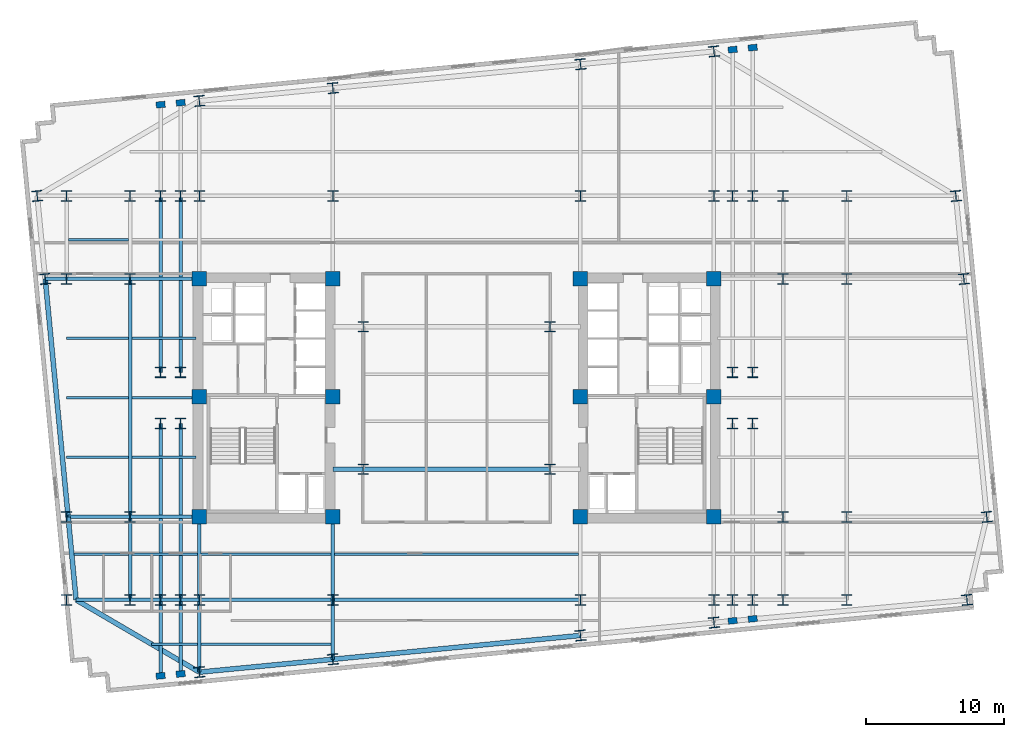
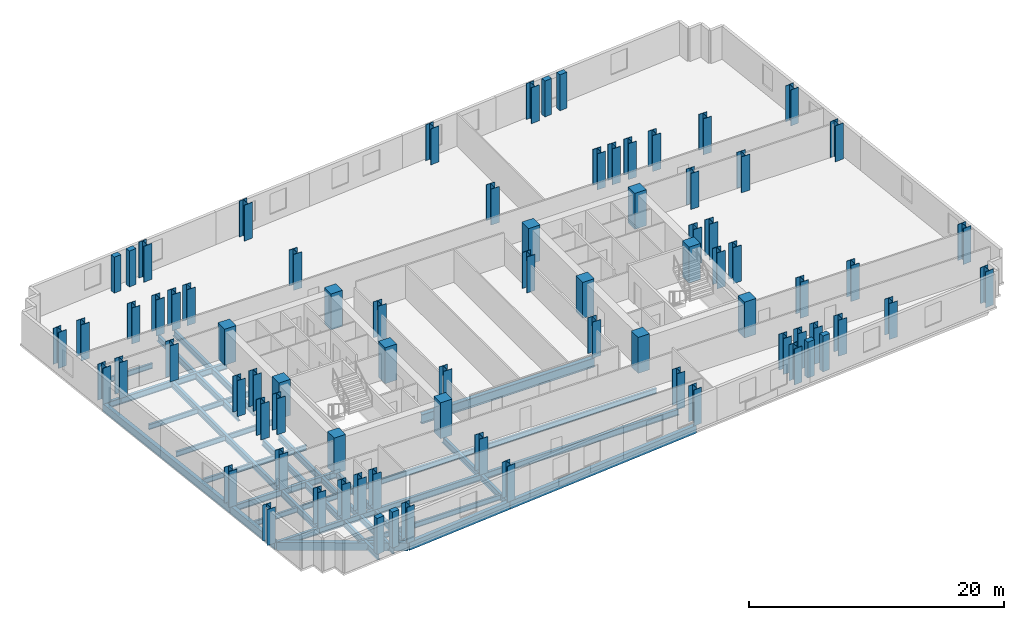
# One storey, part 1 of 10: 78 columns, 41 beams.
"""IFC4 building model written with IfcOpenShell, lengths in metres."""

from ifc_helpers import new_model, si_unit, direction, frame, origin, origin_2d, place, context, subcontext, project, spatial, rectangle, i_section, extrude, material, material_profile, profile_set, type_object, element, save


model = new_model("IFC4")

# Units and contexts
model_context = context("Model", 3, precision=1e-05, world=origin(), true_north=direction((0.0, 1.0)))
body_context = subcontext(model_context, "Body", "Model", "MODEL_VIEW")
ifc_project = project(units=[si_unit("LENGTHUNIT", "METRE"), si_unit("AREAUNIT", "SQUARE_METRE"), si_unit("VOLUMEUNIT", "CUBIC_METRE"), si_unit("PLANEANGLEUNIT", "RADIAN"), si_unit("MASSUNIT", "GRAM", prefix="KILO")], contexts=[model_context])

# Site, building, storey
site_placement = place(None, origin())
site = spatial("IfcSite", under=ifc_project, at=site_placement, CompositionType="ELEMENT")
building_placement = place(site_placement, origin())
building = spatial("IfcBuilding", under=site, at=building_placement, Name="Velakula Bourse", CompositionType="ELEMENT")
storey_placement = place(building_placement, frame((0.0, 0.0, 108.699951171875)))
storey = spatial("IfcBuildingStorey", under=building, at=storey_placement, Name="L29", CompositionType="ELEMENT", Elevation=108.699951171875)

# Columns
ifc_material_1 = material(Name="Concrete M70 (fck 70 MPa)", Category="concrete")
ifc_material_profile_1 = material_profile(ifc_material_1, rectangle(XDim=1.050048828125, YDim=1.050048828125, at=origin_2d()), Name="Concrete M70 (fck 70 MPa)")
ifc_profile_set_1 = profile_set([ifc_material_profile_1], Name="Concrete M70 (fck 70 MPa)")
column_type_1 = type_object("IfcColumnType", Name="COL-RC-1050", PredefinedType="COLUMN", material=ifc_profile_set_1)
for number, where, z_axis, x_axis, name in (
    (1, (-8.949951171875, -8.60009765625, 0.0), (0.0, 0.0, 1.0), (1.0, 0.0, 0.0), "L29 Core Boundary Column 01"),
    (2, (-8.949951171875, 0.10009765625, 0.0), (0.0, 0.0, 1.0), (1.0, 0.0, 0.0), "L29 Core Boundary Column 02"),
    (3, (-8.949951171875, 8.60009765625, 0.0), (0.0, 0.0, 1.0), (1.0, 0.0, 0.0), "L29 Core Boundary Column 03"),
    (4, (-18.60009765625, -8.60009765625, 0.0), (0.0, 0.0, 1.0), (1.0, 0.0, 0.0), "L29 Core Boundary Column 04"),
    (5, (-18.60009765625, 0.10009765625, 0.0), (0.0, 0.0, 1.0), (1.0, 0.0, 0.0), "L29 Core Boundary Column 05"),
    (6, (-18.60009765625, 8.60009765625, 0.0), (0.0, 0.0, 1.0), (1.0, 0.0, 0.0), "L29 Core Boundary Column 06"),
    (7, (8.949951171875, -8.60009765625, 0.0), (0.0, 0.0, 1.0), (1.0, 0.0, 0.0), "L29 Core Boundary Column 07"),
    (8, (8.949951171875, 0.10009765625, 0.0), (0.0, 0.0, 1.0), (1.0, 0.0, 0.0), "L29 Core Boundary Column 08"),
    (9, (8.949951171875, 8.60009765625, 0.0), (0.0, 0.0, 1.0), (1.0, 0.0, 0.0), "L29 Core Boundary Column 09"),
    (10, (18.60009765625, -8.60009765625, 0.0), (0.0, 0.0, 1.0), (1.0, 0.0, 0.0), "L29 Core Boundary Column 10"),
    (11, (18.60009765625, 0.10009765625, 0.0), (0.0, 0.0, 1.0), (1.0, 0.0, 0.0), "L29 Core Boundary Column 11"),
    (12, (18.60009765625, 8.60009765625, 0.0), (0.0, 0.0, 1.0), (1.0, 0.0, 0.0), "L29 Core Boundary Column 12"),
):
    element("IfcColumn", number, at=place(storey_placement, frame(where, z_axis=z_axis, x_axis=x_axis)), inside=storey, type_object=column_type_1, Name=name, PredefinedType="COLUMN", context=body_context, shape_type="SweptSolid", body=[
        extrude(rectangle(XDim=1.050048828125, YDim=1.050048828125, at=origin_2d()), origin(), (0.0, 0.0, 1.0), 3.449951171875),
    ])
ifc_material_2 = material(Name="Steel IS 2062 Grade 450 (E450)", Category="steel")
ifc_material_profile_2 = material_profile(ifc_material_2, i_section(OverallWidth=0.75, OverallDepth=0.75, WebThickness=0.030029296875, FlangeThickness=0.0439453125, at=origin_2d()), Name="Steel IS 2062 Grade 450 (E450)")
ifc_profile_set_2 = profile_set([ifc_material_profile_2], Name="Steel IS 2062 Grade 450 (E450)")
column_type_2 = type_object("IfcColumnType", Name="COL-STL-750", PredefinedType="COLUMN", material=ifc_profile_set_2)
for number, where, z_axis, x_axis, name in (
    (13, (-6.75, -5.14990234375, 0.0), (0.0, 0.0, 1.0), (1.0, 0.0, 0.0), "L29 Central Spine Column 01"),
    (14, (-6.75, 5.14990234375, 0.0), (0.0, 0.0, 1.0), (1.0, 0.0, 0.0), "L29 Central Spine Column 02"),
    (15, (6.75, -5.14990234375, 0.0), (0.0, 0.0, 1.0), (1.0, 0.0, 0.0), "L29 Central Spine Column 03"),
    (16, (6.75, 5.14990234375, 0.0), (0.0, 0.0, 1.0), (1.0, 0.0, 0.0), "L29 Central Spine Column 04"),
    (17, (-21.39990234375, -14.60009765625, 0.0), (0.0, 0.0, 1.0), (1.0, 0.0, 0.0), "L29 Tower Fulcrum Column 01"),
    (18, (-21.39990234375, 14.60009765625, 0.0), (0.0, 0.0, 1.0), (1.0, 0.0, 0.0), "L29 Tower Fulcrum Column 02"),
    (19, (-19.949951171875, -14.60009765625, 0.0), (0.0, 0.0, 1.0), (1.0, 0.0, 0.0), "L29 Tower Fulcrum Column 03"),
    (20, (-19.949951171875, 14.60009765625, 0.0), (0.0, 0.0, 1.0), (1.0, 0.0, 0.0), "L29 Tower Fulcrum Column 04"),
    (21, (-18.60009765625, -14.60009765625, 0.0), (0.0, 0.0, 1.0), (1.0, 0.0, 0.0), "L29 Tower Fulcrum Column 05"),
    (22, (-18.60009765625, 14.60009765625, 0.0), (0.0, 0.0, 1.0), (1.0, 0.0, 0.0), "L29 Tower Fulcrum Column 06"),
    (23, (-8.949951171875, -14.60009765625, 0.0), (0.0, 0.0, 1.0), (1.0, 0.0, 0.0), "L29 Tower Fulcrum Column 07"),
    (24, (-8.949951171875, 14.60009765625, 0.0), (0.0, 0.0, 1.0), (1.0, 0.0, 0.0), "L29 Tower Fulcrum Column 08"),
    (25, (8.949951171875, -14.60009765625, 0.0), (0.0, 0.0, 1.0), (1.0, 0.0, 0.0), "L29 Tower Fulcrum Column 09"),
    (26, (8.949951171875, 14.60009765625, 0.0), (0.0, 0.0, 1.0), (1.0, 0.0, 0.0), "L29 Tower Fulcrum Column 10"),
    (27, (18.60009765625, -14.60009765625, 0.0), (0.0, 0.0, 1.0), (1.0, 0.0, 0.0), "L29 Tower Fulcrum Column 11"),
    (28, (18.60009765625, 14.60009765625, 0.0), (0.0, 0.0, 1.0), (1.0, 0.0, 0.0), "L29 Tower Fulcrum Column 12"),
    (29, (19.949951171875, -14.60009765625, 0.0), (0.0, 0.0, 1.0), (1.0, 0.0, 0.0), "L29 Tower Fulcrum Column 13"),
    (30, (19.949951171875, 14.60009765625, 0.0), (0.0, 0.0, 1.0), (1.0, 0.0, 0.0), "L29 Tower Fulcrum Column 14"),
    (31, (21.39990234375, -14.60009765625, 0.0), (0.0, 0.0, 1.0), (1.0, 0.0, 0.0), "L29 Tower Fulcrum Column 15"),
    (32, (21.39990234375, 14.60009765625, 0.0), (0.0, 0.0, 1.0), (1.0, 0.0, 0.0), "L29 Tower Fulcrum Column 16"),
    (33, (-21.39990234375, -1.85009765625, 0.0), (0.0, 0.0, 1.0), (1.0, 0.0, 0.0), "L29 Tower Fulcrum Column 17"),
    (34, (-21.39990234375, 1.85009765625, 0.0), (0.0, 0.0, 1.0), (1.0, 0.0, 0.0), "L29 Tower Fulcrum Column 18"),
    (35, (-19.949951171875, -1.85009765625, 0.0), (0.0, 0.0, 1.0), (1.0, 0.0, 0.0), "L29 Tower Fulcrum Column 19"),
    (36, (-19.949951171875, 1.85009765625, 0.0), (0.0, 0.0, 1.0), (1.0, 0.0, 0.0), "L29 Tower Fulcrum Column 20"),
    (37, (19.949951171875, -1.85009765625, 0.0), (0.0, 0.0, 1.0), (1.0, 0.0, 0.0), "L29 Tower Fulcrum Column 21"),
    (38, (19.949951171875, 1.85009765625, 0.0), (0.0, 0.0, 1.0), (1.0, 0.0, 0.0), "L29 Tower Fulcrum Column 22"),
    (39, (21.39990234375, -1.85009765625, 0.0), (0.0, 0.0, 1.0), (1.0, 0.0, 0.0), "L29 Tower Fulcrum Column 23"),
    (40, (21.39990234375, 1.85009765625, 0.0), (0.0, 0.0, 1.0), (1.0, 0.0, 0.0), "L29 Tower Fulcrum Column 24"),
    (41, (-23.60009765625, -14.60009765625, 0.0), (0.0, 0.0, 1.0), (1.0, 0.0, 0.0), "L29 Mid-Wing Plumb Column 01"),
    (42, (-23.60009765625, -8.60009765625, 0.0), (0.0, 0.0, 1.0), (1.0, 0.0, 0.0), "L29 Mid-Wing Plumb Column 02"),
    (43, (-23.60009765625, 8.60009765625, 0.0), (0.0, 0.0, 1.0), (1.0, 0.0, 0.0), "L29 Mid-Wing Plumb Column 03"),
    (44, (-23.60009765625, 14.60009765625, 0.0), (0.0, 0.0, 1.0), (1.0, 0.0, 0.0), "L29 Mid-Wing Plumb Column 04"),
    (45, (23.60009765625, -14.60009765625, 0.0), (0.0, 0.0, 1.0), (1.0, 0.0, 0.0), "L29 Mid-Wing Plumb Column 05"),
    (46, (23.60009765625, -8.60009765625, 0.0), (0.0, 0.0, 1.0), (1.0, 0.0, 0.0), "L29 Mid-Wing Plumb Column 06"),
    (47, (23.60009765625, 8.60009765625, 0.0), (0.0, 0.0, 1.0), (1.0, 0.0, 0.0), "L29 Mid-Wing Plumb Column 07"),
    (48, (23.60009765625, 14.60009765625, 0.0), (0.0, 0.0, 1.0), (1.0, 0.0, 0.0), "L29 Mid-Wing Plumb Column 08"),
    (49, (-28.199951171875, -14.60009765625, 0.0), (0.0, 0.0, 1.0), (1.0, 0.0, 0.0), "L29 Lower Wing Column 01"),
    (50, (-28.199951171875, -8.60009765625, 0.0), (0.0, 0.0, 1.0), (1.0, 0.0, 0.0), "L29 Lower Wing Column 02"),
    (51, (-28.199951171875, 8.60009765625, 0.0), (0.0, 0.0, 1.0), (1.0, 0.0, 0.0), "L29 Lower Wing Column 03"),
    (52, (-28.199951171875, 14.60009765625, 0.0), (0.0, 0.0, 1.0), (1.0, 0.0, 0.0), "L29 Lower Wing Column 04"),
    (53, (28.199951171875, -14.60009765625, 0.0), (0.0, 0.0, 1.0), (1.0, 0.0, 0.0), "L29 Lower Wing Column 05"),
    (54, (28.199951171875, -8.60009765625, 0.0), (0.0, 0.0, 1.0), (1.0, 0.0, 0.0), "L29 Lower Wing Column 06"),
    (55, (28.199951171875, 8.60009765625, 0.0), (0.0, 0.0, 1.0), (1.0, 0.0, 0.0), "L29 Lower Wing Column 07"),
    (56, (28.199951171875, 14.60009765625, 0.0), (0.0, 0.0, 1.0), (1.0, 0.0, 0.0), "L29 Lower Wing Column 08"),
    (57, (-18.60009765625, -19.8212890625, 0.0), (0.0, 0.0, 1.0), (0.995396198367, 0.09584575252, 0.0), "L29 Block B2 Perimeter Column S1"),
    (58, (-8.949951171875, -18.89208984375, 0.0), (0.0, 0.0, 1.0), (0.995396198367, 0.09584575252, 0.0), "L29 Block B2 Perimeter Column S2"),
    (59, (8.949951171875, -17.16845703125, 0.0), (0.0, 0.0, 1.0), (0.995396198367, 0.09584575252, 0.0), "L29 Block B2 Perimeter Column S3"),
    (60, (18.60009765625, -16.2392578125, 0.0), (0.0, 0.0, 1.0), (0.995396198367, 0.09584575252, 0.0), "L29 Block B2 Perimeter Column S4"),
    (61, (-18.60009765625, 21.468994140625, 0.0), (0.0, 0.0, 1.0), (0.995396198367, 0.09584575252, 0.0), "L29 Block B2 Perimeter Column N1"),
    (62, (-8.949951171875, 22.398193359375, 0.0), (0.0, 0.0, 1.0), (0.995396198367, 0.09584575252, 0.0), "L29 Block B2 Perimeter Column N2"),
    (63, (8.949951171875, 24.12158203125, 0.0), (0.0, 0.0, 1.0), (0.995396198367, 0.09584575252, 0.0), "L29 Block B2 Perimeter Column N3"),
    (64, (18.60009765625, 25.05078125, 0.0), (0.0, 0.0, 1.0), (0.995396198367, 0.09584575252, 0.0), "L29 Block B2 Perimeter Column N4"),
    (65, (-29.7421875, 8.60009765625, 0.0), (0.0, 0.0, 1.0), (0.995396198367, 0.09584575252, 0.0), "L29 Block B2 Perimeter Column W3"),
    (66, (-30.31982421875, 14.60009765625, 0.0), (0.0, 0.0, 1.0), (0.995396198367, 0.09584575252, 0.0), "L29 Block B2 Perimeter Column W4"),
    (67, (36.88818359375, -14.60009765625, 0.0), (0.0, 0.0, 1.0), (0.995396198367, 0.09584575252, 0.0), "L29 Block B2 Perimeter Column E1"),
    (68, (38.31982421875, -8.60009765625, 0.0), (0.0, 0.0, 1.0), (0.995396198367, 0.09584575252, 0.0), "L29 Block B2 Perimeter Column E2"),
    (69, (36.66357421875, 8.60009765625, 0.0), (0.0, 0.0, 1.0), (0.995396198367, 0.09584575252, 0.0), "L29 Block B2 Perimeter Column E3"),
    (70, (36.0859375, 14.60009765625, 0.0), (0.0, 0.0, 1.0), (0.995396198367, 0.09584575252, 0.0), "L29 Block B2 Perimeter Column E4"),
):
    element("IfcColumn", number, at=place(storey_placement, frame(where, z_axis=z_axis, x_axis=x_axis)), inside=storey, type_object=column_type_2, Name=name, PredefinedType="COLUMN", context=body_context, shape_type="SweptSolid", body=[
        extrude(i_section(OverallWidth=0.75, OverallDepth=0.75, WebThickness=0.030029296875, FlangeThickness=0.0439453125, at=origin_2d()), origin(), (0.0, 0.0, 1.0), 3.449951171875),
    ])
ifc_material_3 = material(Name="Precast concrete M45 (fck 45 MPa)", Category="concrete")
ifc_material_profile_3 = material_profile(ifc_material_3, rectangle(XDim=0.64990234375, YDim=0.449951171875, at=origin_2d()), Name="Precast concrete M45 (fck 45 MPa)")
ifc_profile_set_3 = profile_set([ifc_material_profile_3], Name="Precast concrete M45 (fck 45 MPa)")
column_type_3 = type_object("IfcColumnType", Name="PIL-BRICK-650", PredefinedType="PILASTER", material=ifc_profile_set_3)
for number, where, z_axis, x_axis, name in (
    (71, (-21.39990234375, -20.0908203125, 0.0), (0.0, 0.0, 1.0), (0.995396198367, 0.09584575252, 0.0), "L29 Brick Pier Pilaster 01"),
    (72, (-19.949951171875, -19.951171875, 0.0), (0.0, 0.0, 1.0), (0.995396198367, 0.09584575252, 0.0), "L29 Brick Pier Pilaster 02"),
    (73, (19.949951171875, -16.109130859375, 0.0), (0.0, 0.0, 1.0), (0.995396198367, 0.09584575252, 0.0), "L29 Brick Pier Pilaster 03"),
    (74, (21.39990234375, -15.969482421875, 0.0), (0.0, 0.0, 1.0), (0.995396198367, 0.09584575252, 0.0), "L29 Brick Pier Pilaster 04"),
    (75, (-21.39990234375, 21.19921875, 0.0), (0.0, 0.0, 1.0), (0.995396198367, 0.09584575252, 0.0), "L29 Brick Pier Pilaster 05"),
    (76, (-19.949951171875, 21.3388671875, 0.0), (0.0, 0.0, 1.0), (0.995396198367, 0.09584575252, 0.0), "L29 Brick Pier Pilaster 06"),
    (77, (19.949951171875, 25.180908203125, 0.0), (0.0, 0.0, 1.0), (0.995396198367, 0.09584575252, 0.0), "L29 Brick Pier Pilaster 07"),
    (78, (21.39990234375, 25.320556640625, 0.0), (0.0, 0.0, 1.0), (0.995396198367, 0.09584575252, 0.0), "L29 Brick Pier Pilaster 08"),
):
    element("IfcColumn", number, at=place(storey_placement, frame(where, z_axis=z_axis, x_axis=x_axis)), inside=storey, type_object=column_type_3, Name=name, PredefinedType="PILASTER", context=body_context, shape_type="SweptSolid", body=[
        extrude(rectangle(XDim=0.64990234375, YDim=0.449951171875, at=origin_2d()), origin(), (0.0, 0.0, 1.0), 3.449951171875),
    ])

# Beams
ifc_material_4 = material(Name="Steel IS 2062 Grade 350 (E350)", Category="steel")
ifc_material_profile_4 = material_profile(ifc_material_4, i_section(OverallWidth=0.25, OverallDepth=0.60009765625, WebThickness=0.01171875, FlangeThickness=0.023681640625, at=origin_2d()), Name="Steel IS 2062 Grade 350 (E350)")
ifc_profile_set_4 = profile_set([ifc_material_profile_4], Name="Steel IS 2062 Grade 350 (E350)")
beam_type_1 = type_object("IfcBeamType", Name="BM-GRD-600H", PredefinedType="BEAM", material=ifc_profile_set_4)
for number, where, z_axis, x_axis, name in (
    (79, (-18.60009765625, -14.60009765625, -0.47998046875), (0.0, 1.0, 0.0), (-1.0, 0.0, 0.0), "L29 Fulcrum Grid Girder FLC-WS"),
    (80, (-8.949951171875, -14.60009765625, -0.47998046875), (0.0, 1.0, 0.0), (-1.0, 0.0, 0.0), "L29 Fulcrum Grid Girder FLC-WCS"),
):
    element("IfcBeam", number, at=place(storey_placement, frame(where, z_axis=z_axis, x_axis=x_axis)), inside=storey, type_object=beam_type_1, Name=name, PredefinedType="BEAM", context=body_context, shape_type="SweptSolid", body=[
        extrude(i_section(OverallWidth=0.25, OverallDepth=0.60009765625, WebThickness=0.01171875, FlangeThickness=0.023681640625, at=origin_2d()), origin(), (0.0, 0.0, 1.0), 6.0),
    ])
beam_1_placement = place(storey_placement, frame((-18.60009765625, -14.60009765625, -0.47998046875), z_axis=(1.0, 0.0, 0.0), x_axis=(0.0, 1.0, 0.0)))
element("IfcBeam", 81, at=beam_1_placement, inside=storey, type_object=beam_type_1, Name="L29 Fulcrum Grid Girder FLC-S1", PredefinedType="BEAM", context=body_context, shape_type="SweptSolid", body=[
    extrude(i_section(OverallWidth=0.25, OverallDepth=0.60009765625, WebThickness=0.01171875, FlangeThickness=0.023681640625, at=origin_2d()), origin(), (0.0, 0.0, 1.0), 9.650146484375),
])
beam_2_placement = place(storey_placement, frame((-8.949951171875, -14.60009765625, -0.47998046875), z_axis=(1.0, 0.0, 0.0), x_axis=(0.0, 1.0, 0.0)))
element("IfcBeam", 82, at=beam_2_placement, inside=storey, type_object=beam_type_1, Name="L29 Fulcrum Grid Girder FLC-S2", PredefinedType="BEAM", context=body_context, shape_type="SweptSolid", body=[
    extrude(i_section(OverallWidth=0.25, OverallDepth=0.60009765625, WebThickness=0.01171875, FlangeThickness=0.023681640625, at=origin_2d()), origin(), (0.0, 0.0, 1.0), 17.89990234375),
])
for number, where, z_axis, x_axis, name in (
    (83, (-21.39990234375, -14.60009765625, -0.47998046875), (0.0, 1.0, 0.0), (-1.0, 0.0, 0.0), "L29 Fulcrum Grid Girder FLC-PSW1"),
    (84, (-21.39990234375, 1.85009765625, -0.47998046875), (0.0, 1.0, 0.0), (-1.0, 0.0, 0.0), "L29 Fulcrum Grid Girder FLC-PNW1"),
    (85, (-19.949951171875, -14.60009765625, -0.47998046875), (0.0, 1.0, 0.0), (-1.0, 0.0, 0.0), "L29 Fulcrum Grid Girder FLC-PSW2"),
    (86, (-19.949951171875, 1.85009765625, -0.47998046875), (0.0, 1.0, 0.0), (-1.0, 0.0, 0.0), "L29 Fulcrum Grid Girder FLC-PNW2"),
):
    element("IfcBeam", number, at=place(storey_placement, frame(where, z_axis=z_axis, x_axis=x_axis)), inside=storey, type_object=beam_type_1, Name=name, PredefinedType="BEAM", context=body_context, shape_type="SweptSolid", body=[
        extrude(i_section(OverallWidth=0.25, OverallDepth=0.60009765625, WebThickness=0.01171875, FlangeThickness=0.023681640625, at=origin_2d()), origin(), (0.0, 0.0, 1.0), 12.75),
    ])
for number, where, z_axis, x_axis, name in (
    (87, (-23.60009765625, -14.60009765625, -0.47998046875), (1.0, 0.0, 0.0), (0.0, 1.0, 0.0), "L29 Fulcrum Grid Girder MWG-WS1"),
    (88, (-23.60009765625, -8.60009765625, -0.47998046875), (1.0, 0.0, 0.0), (0.0, 1.0, 0.0), "L29 Fulcrum Grid Girder MWG-WS2"),
    (89, (-23.60009765625, 8.60009765625, -0.47998046875), (1.0, 0.0, 0.0), (0.0, 1.0, 0.0), "L29 Fulcrum Grid Girder MWG-WN1"),
):
    element("IfcBeam", number, at=place(storey_placement, frame(where, z_axis=z_axis, x_axis=x_axis)), inside=storey, type_object=beam_type_1, Name=name, PredefinedType="BEAM", context=body_context, shape_type="SweptSolid", body=[
        extrude(i_section(OverallWidth=0.25, OverallDepth=0.60009765625, WebThickness=0.01171875, FlangeThickness=0.023681640625, at=origin_2d()), origin(), (0.0, 0.0, 1.0), 5.0),
    ])
beam_3_placement = place(storey_placement, frame((-23.60009765625, -14.60009765625, -0.47998046875), z_axis=(0.0, 1.0, 0.0), x_axis=(-1.0, 0.0, 0.0)))
element("IfcBeam", 90, at=beam_3_placement, inside=storey, type_object=beam_type_1, Name="L29 Fulcrum Grid Girder MWG-WNS1", PredefinedType="BEAM", context=body_context, shape_type="SweptSolid", body=[
    extrude(i_section(OverallWidth=0.25, OverallDepth=0.60009765625, WebThickness=0.01171875, FlangeThickness=0.023681640625, at=origin_2d()), origin(), (0.0, 0.0, 1.0), 6.0),
])
beam_4_placement = place(storey_placement, frame((-23.60009765625, -8.60009765625, -0.47998046875), z_axis=(0.0, 1.0, 0.0), x_axis=(-1.0, 0.0, 0.0)))
element("IfcBeam", 91, at=beam_4_placement, inside=storey, type_object=beam_type_1, Name="L29 Fulcrum Grid Girder MWG-WNS2", PredefinedType="BEAM", context=body_context, shape_type="SweptSolid", body=[
    extrude(i_section(OverallWidth=0.25, OverallDepth=0.60009765625, WebThickness=0.01171875, FlangeThickness=0.023681640625, at=origin_2d()), origin(), (0.0, 0.0, 1.0), 17.2001953125),
])
beam_5_placement = place(storey_placement, frame((-27.50830078125, -14.60009765625, -0.47998046875), z_axis=(1.0, 0.0, 0.0), x_axis=(0.0, 1.0, 0.0)))
element("IfcBeam", 92, at=beam_5_placement, inside=storey, type_object=beam_type_1, Name="L29 Fulcrum Grid Girder WNG-WS1", PredefinedType="BEAM", context=body_context, shape_type="SweptSolid", body=[
    extrude(i_section(OverallWidth=0.25, OverallDepth=0.60009765625, WebThickness=0.01171875, FlangeThickness=0.023681640625, at=origin_2d()), origin(), (0.0, 0.0, 1.0), 3.908203125),
])
beam_6_placement = place(storey_placement, frame((-28.0859375, -8.60009765625, -0.47998046875), z_axis=(1.0, 0.0, 0.0), x_axis=(0.0, 1.0, 0.0)))
element("IfcBeam", 93, at=beam_6_placement, inside=storey, type_object=beam_type_1, Name="L29 Fulcrum Grid Girder WNG-WS2", PredefinedType="BEAM", context=body_context, shape_type="SweptSolid", body=[
    extrude(i_section(OverallWidth=0.25, OverallDepth=0.60009765625, WebThickness=0.01171875, FlangeThickness=0.023681640625, at=origin_2d()), origin(), (0.0, 0.0, 1.0), 4.48583984375),
])
beam_7_placement = place(storey_placement, frame((-28.199951171875, 8.60009765625, -0.47998046875), z_axis=(1.0, 0.0, 0.0), x_axis=(0.0, 1.0, 0.0)))
element("IfcBeam", 94, at=beam_7_placement, inside=storey, type_object=beam_type_1, Name="L29 Fulcrum Grid Girder WNG-WN1", PredefinedType="BEAM", context=body_context, shape_type="SweptSolid", body=[
    extrude(i_section(OverallWidth=0.25, OverallDepth=0.60009765625, WebThickness=0.01171875, FlangeThickness=0.023681640625, at=origin_2d()), origin(), (0.0, 0.0, 1.0), 4.599853515625),
])
beam_8_placement = place(storey_placement, frame((-18.60009765625, -14.60009765625, -0.47998046875), z_axis=(0.0, -1.0, 0.0), x_axis=(1.0, 0.0, 0.0)))
element("IfcBeam", 95, at=beam_8_placement, inside=storey, type_object=beam_type_1, Name="L29 Perimeter Tie Girder S1", PredefinedType="BEAM", context=body_context, shape_type="SweptSolid", body=[
    extrude(i_section(OverallWidth=0.25, OverallDepth=0.60009765625, WebThickness=0.01171875, FlangeThickness=0.023681640625, at=origin_2d()), origin(), (0.0, 0.0, 1.0), 5.22119140625),
])
beam_9_placement = place(storey_placement, frame((-8.949951171875, -14.60009765625, -0.47998046875), z_axis=(0.0, -1.0, 0.0), x_axis=(1.0, 0.0, 0.0)))
element("IfcBeam", 96, at=beam_9_placement, inside=storey, type_object=beam_type_1, Name="L29 Perimeter Tie Girder S2", PredefinedType="BEAM", context=body_context, shape_type="SweptSolid", body=[
    extrude(i_section(OverallWidth=0.25, OverallDepth=0.60009765625, WebThickness=0.01171875, FlangeThickness=0.023681640625, at=origin_2d()), origin(), (0.0, 0.0, 1.0), 4.2919921875),
])
beam_10_placement = place(storey_placement, frame((-28.199951171875, 8.60009765625, -0.47998046875), z_axis=(-1.0, 0.0, 0.0), x_axis=(0.0, -1.0, 0.0)))
element("IfcBeam", 97, at=beam_10_placement, inside=storey, type_object=beam_type_1, Name="L29 Perimeter Tie Girder W3", PredefinedType="BEAM", context=body_context, shape_type="SweptSolid", body=[
    extrude(i_section(OverallWidth=0.25, OverallDepth=0.60009765625, WebThickness=0.01171875, FlangeThickness=0.023681640625, at=origin_2d()), origin(), (0.0, 0.0, 1.0), 1.542236328125),
])
beam_11_placement = place(storey_placement, frame((-21.39990234375, -14.60009765625, -0.47998046875), z_axis=(0.0, -1.0, 0.0), x_axis=(1.0, 0.0, 0.0)))
element("IfcBeam", 98, at=beam_11_placement, inside=storey, type_object=beam_type_1, Name="L29 Perimeter Tie Girder P01", PredefinedType="BEAM", context=body_context, shape_type="SweptSolid", body=[
    extrude(i_section(OverallWidth=0.25, OverallDepth=0.60009765625, WebThickness=0.01171875, FlangeThickness=0.023681640625, at=origin_2d()), origin(), (0.0, 0.0, 1.0), 5.49072265625),
])
beam_12_placement = place(storey_placement, frame((-19.949951171875, -14.60009765625, -0.47998046875), z_axis=(0.0, -1.0, 0.0), x_axis=(1.0, 0.0, 0.0)))
element("IfcBeam", 99, at=beam_12_placement, inside=storey, type_object=beam_type_1, Name="L29 Perimeter Tie Girder P02", PredefinedType="BEAM", context=body_context, shape_type="SweptSolid", body=[
    extrude(i_section(OverallWidth=0.25, OverallDepth=0.60009765625, WebThickness=0.01171875, FlangeThickness=0.023681640625, at=origin_2d()), origin(), (0.0, 0.0, 1.0), 5.35107421875),
])
ifc_material_profile_5 = material_profile(ifc_material_4, i_section(OverallWidth=0.35009765625, OverallDepth=0.89990234375, WebThickness=0.02001953125, FlangeThickness=0.031982421875, at=origin_2d()), Name="Steel IS 2062 Grade 350 (E350)")
ifc_profile_set_5 = profile_set([ifc_material_profile_5], Name="Steel IS 2062 Grade 350 (E350)")
beam_type_2 = type_object("IfcBeamType", Name="BM-LNK-900", PredefinedType="BEAM", material=ifc_profile_set_5)
beam_13_placement = place(storey_placement, frame((-8.949951171875, -5.14990234375, -0.6298828125), z_axis=(1.0, 0.0, 0.0), x_axis=(0.0, 1.0, 0.0)))
element("IfcBeam", 100, at=beam_13_placement, inside=storey, type_object=beam_type_2, Name="L29 Primary Backbone Girder LNK-S1", PredefinedType="BEAM", context=body_context, shape_type="SweptSolid", body=[
    extrude(i_section(OverallWidth=0.35009765625, OverallDepth=0.89990234375, WebThickness=0.02001953125, FlangeThickness=0.031982421875, at=origin_2d()), origin(), (0.0, 0.0, 1.0), 2.199951171875),
])
beam_14_placement = place(storey_placement, frame((-6.75, -5.14990234375, -0.6298828125), z_axis=(1.0, 0.0, 0.0), x_axis=(0.0, 1.0, 0.0)))
element("IfcBeam", 101, at=beam_14_placement, inside=storey, type_object=beam_type_2, Name="L29 Primary Backbone Girder LNK-S2", PredefinedType="BEAM", context=body_context, shape_type="SweptSolid", body=[
    extrude(i_section(OverallWidth=0.35009765625, OverallDepth=0.89990234375, WebThickness=0.02001953125, FlangeThickness=0.031982421875, at=origin_2d()), origin(), (0.0, 0.0, 1.0), 13.5),
])
ifc_material_profile_6 = material_profile(ifc_material_4, i_section(OverallWidth=0.179931640625, OverallDepth=0.5, WebThickness=0.01025390625, FlangeThickness=0.01708984375, at=origin_2d()), Name="Steel IS 2062 Grade 350 (E350)")
ifc_profile_set_6 = profile_set([ifc_material_profile_6], Name="Steel IS 2062 Grade 350 (E350)")
beam_type_3 = type_object("IfcBeamType", Name="JST-TWR-500", PredefinedType="JOIST", material=ifc_profile_set_6)
beam_15_placement = place(storey_placement, frame((-22.048583984375, -17.800048828125, -0.429931640625), z_axis=(1.0, 0.0, 0.0), x_axis=(0.0, 1.0, 0.0)))
element("IfcBeam", 102, at=beam_15_placement, inside=storey, type_object=beam_type_3, Name="L29 Trading Floor Composite Joist 01", PredefinedType="JOIST", context=body_context, shape_type="SweptSolid", body=[
    extrude(i_section(OverallWidth=0.179931640625, OverallDepth=0.5, WebThickness=0.01025390625, FlangeThickness=0.01708984375, at=origin_2d()), origin(), (0.0, 0.0, 1.0), 3.323486328125),
])
beam_16_placement = place(storey_placement, frame((-18.47509765625, -17.800048828125, -0.429931640625), z_axis=(1.0, 0.0, 0.0), x_axis=(0.0, 1.0, 0.0)))
element("IfcBeam", 103, at=beam_16_placement, inside=storey, type_object=beam_type_3, Name="L29 Trading Floor Composite Joist 02", PredefinedType="JOIST", context=body_context, shape_type="SweptSolid", body=[
    extrude(i_section(OverallWidth=0.179931640625, OverallDepth=0.5, WebThickness=0.01025390625, FlangeThickness=0.01708984375, at=origin_2d()), origin(), (0.0, 0.0, 1.0), 9.400146484375),
])
beam_17_placement = place(storey_placement, frame((-27.650146484375, -11.300048828125, -0.429931640625), z_axis=(1.0, 0.0, 0.0), x_axis=(0.0, 1.0, 0.0)))
element("IfcBeam", 104, at=beam_17_placement, inside=storey, type_object=beam_type_3, Name="L29 Trading Floor Composite Joist 04", PredefinedType="JOIST", context=body_context, shape_type="SweptSolid", body=[
    extrude(i_section(OverallWidth=0.179931640625, OverallDepth=0.5, WebThickness=0.01025390625, FlangeThickness=0.01708984375, at=origin_2d()), origin(), (0.0, 0.0, 1.0), 3.925048828125),
])
beam_18_placement = place(storey_placement, frame((-23.47509765625, -11.300048828125, -0.429931640625), z_axis=(1.0, 0.0, 0.0), x_axis=(0.0, 1.0, 0.0)))
element("IfcBeam", 105, at=beam_18_placement, inside=storey, type_object=beam_type_3, Name="L29 Trading Floor Composite Joist 05", PredefinedType="JOIST", context=body_context, shape_type="SweptSolid", body=[
    extrude(i_section(OverallWidth=0.179931640625, OverallDepth=0.5, WebThickness=0.01025390625, FlangeThickness=0.01708984375, at=origin_2d()), origin(), (0.0, 0.0, 1.0), 4.75),
])
beam_19_placement = place(storey_placement, frame((-18.47509765625, -11.300048828125, -0.429931640625), z_axis=(1.0, 0.0, 0.0), x_axis=(0.0, 1.0, 0.0)))
element("IfcBeam", 106, at=beam_19_placement, inside=storey, type_object=beam_type_3, Name="L29 Trading Floor Composite Joist 06", PredefinedType="JOIST", context=body_context, shape_type="SweptSolid", body=[
    extrude(i_section(OverallWidth=0.179931640625, OverallDepth=0.5, WebThickness=0.01025390625, FlangeThickness=0.01708984375, at=origin_2d()), origin(), (0.0, 0.0, 1.0), 9.400146484375),
])
beam_20_placement = place(storey_placement, frame((-8.824951171875, -11.300048828125, -0.429931640625), z_axis=(1.0, 0.0, 0.0), x_axis=(0.0, 1.0, 0.0)))
element("IfcBeam", 107, at=beam_20_placement, inside=storey, type_object=beam_type_3, Name="L29 Trading Floor Composite Joist 07", PredefinedType="JOIST", context=body_context, shape_type="SweptSolid", body=[
    extrude(i_section(OverallWidth=0.179931640625, OverallDepth=0.5, WebThickness=0.01025390625, FlangeThickness=0.01708984375, at=origin_2d()), origin(), (0.0, 0.0, 1.0), 17.64990234375),
])
beam_21_placement = place(storey_placement, frame((-28.074951171875, 11.449951171875, -0.429931640625), z_axis=(1.0, 0.0, 0.0), x_axis=(0.0, 1.0, 0.0)))
element("IfcBeam", 108, at=beam_21_placement, inside=storey, type_object=beam_type_3, Name="L29 Trading Floor Composite Joist 12", PredefinedType="JOIST", context=body_context, shape_type="SweptSolid", body=[
    extrude(i_section(OverallWidth=0.179931640625, OverallDepth=0.5, WebThickness=0.01025390625, FlangeThickness=0.01708984375, at=origin_2d()), origin(), (0.0, 0.0, 1.0), 4.349853515625),
])
beam_22_placement = place(storey_placement, frame((-28.199951171875, -4.300048828125, -0.429931640625), z_axis=(1.0, 0.0, 0.0), x_axis=(0.0, 1.0, 0.0)))
element("IfcBeam", 109, at=beam_22_placement, inside=storey, type_object=beam_type_3, Name="L29 Trading Floor Composite Joist 33", PredefinedType="JOIST", context=body_context, shape_type="SweptSolid", body=[
    extrude(i_section(OverallWidth=0.179931640625, OverallDepth=0.5, WebThickness=0.01025390625, FlangeThickness=0.01708984375, at=origin_2d()), origin(), (0.0, 0.0, 1.0), 4.474853515625),
])
beam_23_placement = place(storey_placement, frame((-23.47509765625, -4.300048828125, -0.429931640625), z_axis=(1.0, 0.0, 0.0), x_axis=(0.0, 1.0, 0.0)))
element("IfcBeam", 110, at=beam_23_placement, inside=storey, type_object=beam_type_3, Name="L29 Trading Floor Composite Joist 34", PredefinedType="JOIST", context=body_context, shape_type="SweptSolid", body=[
    extrude(i_section(OverallWidth=0.179931640625, OverallDepth=0.5, WebThickness=0.01025390625, FlangeThickness=0.01708984375, at=origin_2d()), origin(), (0.0, 0.0, 1.0), 4.625),
])
beam_24_placement = place(storey_placement, frame((-28.199951171875, 0.0, -0.429931640625), z_axis=(1.0, 0.0, 0.0), x_axis=(0.0, 1.0, 0.0)))
element("IfcBeam", 111, at=beam_24_placement, inside=storey, type_object=beam_type_3, Name="L29 Trading Floor Composite Joist 38", PredefinedType="JOIST", context=body_context, shape_type="SweptSolid", body=[
    extrude(i_section(OverallWidth=0.179931640625, OverallDepth=0.5, WebThickness=0.01025390625, FlangeThickness=0.01708984375, at=origin_2d()), origin(), (0.0, 0.0, 1.0), 4.474853515625),
])
beam_25_placement = place(storey_placement, frame((-23.47509765625, 0.0, -0.429931640625), z_axis=(1.0, 0.0, 0.0), x_axis=(0.0, 1.0, 0.0)))
element("IfcBeam", 112, at=beam_25_placement, inside=storey, type_object=beam_type_3, Name="L29 Trading Floor Composite Joist 39", PredefinedType="JOIST", context=body_context, shape_type="SweptSolid", body=[
    extrude(i_section(OverallWidth=0.179931640625, OverallDepth=0.5, WebThickness=0.01025390625, FlangeThickness=0.01708984375, at=origin_2d()), origin(), (0.0, 0.0, 1.0), 4.625),
])
beam_26_placement = place(storey_placement, frame((-28.199951171875, 4.300048828125, -0.429931640625), z_axis=(1.0, 0.0, 0.0), x_axis=(0.0, 1.0, 0.0)))
element("IfcBeam", 113, at=beam_26_placement, inside=storey, type_object=beam_type_3, Name="L29 Trading Floor Composite Joist 43", PredefinedType="JOIST", context=body_context, shape_type="SweptSolid", body=[
    extrude(i_section(OverallWidth=0.179931640625, OverallDepth=0.5, WebThickness=0.01025390625, FlangeThickness=0.01708984375, at=origin_2d()), origin(), (0.0, 0.0, 1.0), 4.474853515625),
])
beam_27_placement = place(storey_placement, frame((-23.47509765625, 4.300048828125, -0.429931640625), z_axis=(1.0, 0.0, 0.0), x_axis=(0.0, 1.0, 0.0)))
element("IfcBeam", 114, at=beam_27_placement, inside=storey, type_object=beam_type_3, Name="L29 Trading Floor Composite Joist 44", PredefinedType="JOIST", context=body_context, shape_type="SweptSolid", body=[
    extrude(i_section(OverallWidth=0.179931640625, OverallDepth=0.5, WebThickness=0.01025390625, FlangeThickness=0.01708984375, at=origin_2d()), origin(), (0.0, 0.0, 1.0), 4.625),
])
ifc_material_profile_7 = material_profile(ifc_material_3, rectangle(XDim=0.35009765625, YDim=0.75, at=origin_2d()), Name="Precast concrete M45 (fck 45 MPa)")
ifc_profile_set_7 = profile_set([ifc_material_profile_7], Name="Precast concrete M45 (fck 45 MPa)")
beam_type_4 = type_object("IfcBeamType", Name="SPN-BRICK-750", PredefinedType="SPANDREL", material=ifc_profile_set_7)
beam_28_placement = place(storey_placement, frame((-18.60009765625, -19.8212890625, -0.554931640625), z_axis=(0.99539623971, 0.095845323155, 0.0), x_axis=(-0.095845323155, 0.99539623971, 0.0)))
element("IfcBeam", 115, at=beam_28_placement, inside=storey, type_object=beam_type_4, Name="L29 Brick-Faced Precast Spandrel S1-S2", PredefinedType="SPANDREL", context=body_context, shape_type="SweptSolid", body=[
    extrude(rectangle(XDim=0.35009765625, YDim=0.75, at=origin_2d()), origin(), (0.0, 0.0, 1.0), 9.69482421875),
])
beam_29_placement = place(storey_placement, frame((-8.949951171875, -18.89208984375, -0.554931640625), z_axis=(0.995395836254, 0.095849513134, 0.0), x_axis=(-0.095849513134, 0.995395836254, 0.0)))
element("IfcBeam", 116, at=beam_29_placement, inside=storey, type_object=beam_type_4, Name="L29 Brick-Faced Precast Spandrel S2-S3", PredefinedType="SPANDREL", context=body_context, shape_type="SweptSolid", body=[
    extrude(rectangle(XDim=0.35009765625, YDim=0.75, at=origin_2d()), origin(), (0.0, 0.0, 1.0), 17.982666015625),
])
beam_30_placement = place(storey_placement, frame((-27.50830078125, -14.60009765625, -0.554931640625), z_axis=(-0.095829714309, 0.995397742541, 0.0), x_axis=(-0.995397742541, -0.095829714309, 0.0)))
element("IfcBeam", 117, at=beam_30_placement, inside=storey, type_object=beam_type_4, Name="L29 Brick-Faced Precast Spandrel W1-W2", PredefinedType="SPANDREL", context=body_context, shape_type="SweptSolid", body=[
    extrude(rectangle(XDim=0.35009765625, YDim=0.75, at=origin_2d()), origin(), (0.0, 0.0, 1.0), 6.02783203125),
])
beam_31_placement = place(storey_placement, frame((-28.0859375, -8.60009765625, -0.554931640625), z_axis=(-0.095849167925, 0.995395869495, 0.0), x_axis=(-0.995395869495, -0.095849167925, 0.0)))
element("IfcBeam", 118, at=beam_31_placement, inside=storey, type_object=beam_type_4, Name="L29 Brick-Faced Precast Spandrel W2-W3", PredefinedType="SPANDREL", context=body_context, shape_type="SweptSolid", body=[
    extrude(rectangle(XDim=0.35009765625, YDim=0.75, at=origin_2d()), origin(), (0.0, 0.0, 1.0), 17.27978515625),
])
beam_32_placement = place(storey_placement, frame((-27.50830078125, -14.60009765625, -0.554931640625), z_axis=(0.862734250413, -0.505657604674, 0.0), x_axis=(0.505657604674, 0.862734250413, 0.0)))
element("IfcBeam", 119, at=beam_32_placement, inside=storey, type_object=beam_type_4, Name="L29 Brick-Faced Precast Spandrel W1-S1", PredefinedType="SPANDREL", context=body_context, shape_type="SweptSolid", body=[
    extrude(rectangle(XDim=0.35009765625, YDim=0.75, at=origin_2d()), origin(), (0.0, 0.0, 1.0), 10.325439453125),
])

save(model, "model.ifc")
